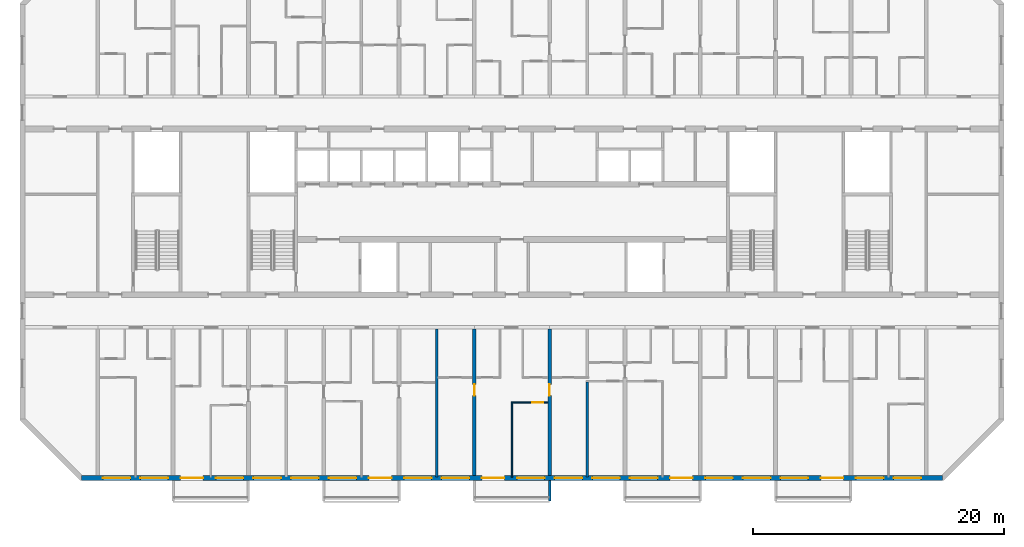
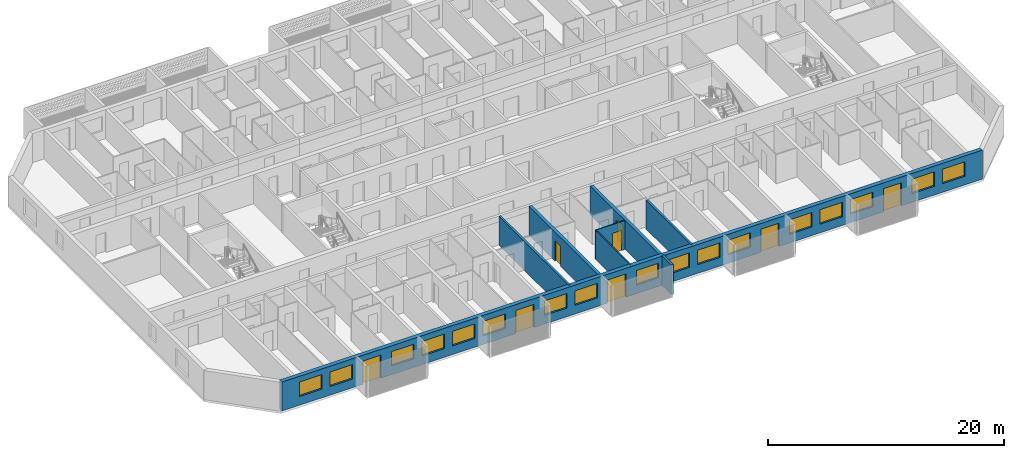
# One storey, part 4 of 32: 17 windows, 8 doors, 8 walls, 25 openings.
"""IFC4 building model written with IfcOpenShell, lengths in metres."""

from ifc_helpers import new_model, si_unit, direction, frame, frame_2d, origin, place, context, subcontext, project, spatial, polyline, rectangle, outline, extrude, source, transform, mapped, material, layer, layer_set, type_object, element, fill, save


model = new_model("IFC4")

# Units and contexts
model_context = context("Model", 3, precision=1e-05, world=origin(), true_north=direction((0.0, 1.0)))
body_context = subcontext(model_context, "Body", "Model", "MODEL_VIEW")
ifc_project = project(units=[si_unit("LENGTHUNIT", "METRE"), si_unit("AREAUNIT", "SQUARE_METRE"), si_unit("VOLUMEUNIT", "CUBIC_METRE"), si_unit("PLANEANGLEUNIT", "RADIAN"), si_unit("MASSUNIT", "GRAM", prefix="KILO")], contexts=[model_context])

# Site, building, storey
site_placement = place(None, origin())
site = spatial("IfcSite", under=ifc_project, at=site_placement, CompositionType="ELEMENT")
building_placement = place(site_placement, origin())
building = spatial("IfcBuilding", under=site, at=building_placement, Name="Poui Terraces", CompositionType="ELEMENT")
storey_placement = place(building_placement, frame((0.0, 0.0, 155.39990234375)))
storey = spatial("IfcBuildingStorey", under=building, at=storey_placement, Name="L43", CompositionType="ELEMENT", Elevation=155.39990234375)

# Wall, opening, door
ifc_material_1 = material(Name="Concrete 65 MPa", Category="concrete")
ifc_layer_1 = layer(ifc_material_1, 0.300048828125)
ifc_layer_set_1 = layer_set([ifc_layer_1], Name="Concrete 65 MPa")
wall_type_1 = type_object("IfcWallType", Name="CROSS WALL 300 65MPa", PredefinedType="SHEAR", material=ifc_layer_set_1)
wall_1_placement = place(storey_placement, frame((48.0, 0.199951171875, 0.0), z_axis=(0.0, 0.0, 1.0), x_axis=(0.0, 1.0, 0.0)))
wall_1 = element("IfcWall", 1, at=wall_1_placement, inside=storey, type_object=wall_type_1, Name="CROSS WALL LINE 9 SOUTH", PredefinedType="SHEAR", context=body_context, shape_type="SweptSolid", body=[
    extrude(rectangle(XDim=11.675048828125, YDim=0.300048828125, at=frame_2d((5.83740234375, 0.0))), origin(), (0.0, 0.0, 1.0), 3.0),
])
opening_1_placement = place(wall_1_placement, frame((6.35009765625, 0.0, 0.0)))
opening_1 = element("IfcOpeningElement", 2, at=opening_1_placement, cuts=wall_1, Name="Opening D90", PredefinedType="OPENING", context=body_context, shape_type="SweptSolid", body=[
    extrude(rectangle(XDim=0.89990234375, YDim=2.10009765625, at=frame_2d((0.449951171875, 1.050048828125))), frame((0.0, 0.16015625, 0.0), z_axis=(0.0, -1.0, 0.0), x_axis=(1.0, 0.0, 0.0)), (0.0, 0.0, 1.0), 0.320068359375),
])
ifc_material_2 = material(Name="Solid core timber door", Category="wood")
door_type_1 = type_object("IfcDoorType", Name="INTERNAL DOOR 900 X 2100", OperationType="NOTDEFINED", PredefinedType="DOOR", material=ifc_material_2)
door_1_placement = place(opening_1_placement, origin())
door_1 = element("IfcDoor", 3, at=door_1_placement, inside=storey, type_object=door_type_1, Name="INTERNAL DOOR 095", OperationType="SINGLE_SWING_RIGHT", OverallHeight=2.10009765625, OverallWidth=0.89990234375, PredefinedType="DOOR", context=body_context, shape_type="SweptSolid", body=[
    extrude(rectangle(XDim=0.89990234375, YDim=2.10009765625, at=frame_2d((0.449951171875, 1.050048828125))), frame((0.0, 0.02490234375, 0.0), z_axis=(0.0, -1.0, 0.0), x_axis=(1.0, 0.0, 0.0)), (0.0, 0.0, 1.0), 0.050048828125),
])
fill(opening_1, door_1)

wall_2_placement = place(storey_placement, frame((54.0, 0.199951171875, 0.0), z_axis=(0.0, 0.0, 1.0), x_axis=(0.0, 1.0, 0.0)))
wall_2 = element("IfcWall", 4, at=wall_2_placement, inside=storey, type_object=wall_type_1, Name="CROSS WALL LINE 10 SOUTH", PredefinedType="SHEAR", context=body_context, shape_type="SweptSolid", body=[
    extrude(rectangle(XDim=11.675048828125, YDim=0.300048828125, at=frame_2d((5.83740234375, 0.0))), origin(), (0.0, 0.0, 1.0), 3.0),
])
opening_2_placement = place(wall_2_placement, frame((6.35009765625, 0.0, 0.0)))
opening_2 = element("IfcOpeningElement", 5, at=opening_2_placement, cuts=wall_2, Name="Opening D90", PredefinedType="OPENING", context=body_context, shape_type="SweptSolid", body=[
    extrude(rectangle(XDim=0.89990234375, YDim=2.10009765625, at=frame_2d((0.449951171875, 1.050048828125))), frame((0.0, 0.16015625, 0.0), z_axis=(0.0, -1.0, 0.0), x_axis=(1.0, 0.0, 0.0)), (0.0, 0.0, 1.0), 0.320068359375),
])
door_2_placement = place(opening_2_placement, frame((0.89990234375, 0.0, 0.0), z_axis=(0.0, 0.0, 1.0), x_axis=(-1.0, 0.0, 0.0)))
door_2 = element("IfcDoor", 6, at=door_2_placement, inside=storey, type_object=door_type_1, Name="INTERNAL DOOR 100", OperationType="SINGLE_SWING_LEFT", OverallHeight=2.10009765625, OverallWidth=0.89990234375, PredefinedType="DOOR", context=body_context, shape_type="SweptSolid", body=[
    extrude(rectangle(XDim=0.89990234375, YDim=2.10009765625, at=frame_2d((0.449951171875, 1.050048828125))), frame((0.0, 0.02490234375, 0.0), z_axis=(0.0, -1.0, 0.0), x_axis=(1.0, 0.0, 0.0)), (0.0, 0.0, 1.0), 0.050048828125),
])
fill(opening_2, door_2)

# Wall, openings, doors, windows
ifc_material_3 = material(Name="Precast concrete 40 MPa", Category="concrete")
ifc_layer_2 = layer(ifc_material_3, 0.39990234375)
ifc_layer_set_2 = layer_set([ifc_layer_2], Name="Precast concrete 40 MPa")
wall_type_2 = type_object("IfcWallType", Name="EXTERNAL WALL 400", PredefinedType="STANDARD", material=ifc_layer_set_2)
wall_3_placement = place(storey_placement, frame((16.682861328125, 0.0, 0.0), z_axis=(0.0, 0.0, 1.0), x_axis=(1.0, 0.0, 0.0)))
wall_3 = element("IfcWall", 7, at=wall_3_placement, inside=storey, type_object=wall_type_2, Name="EXTERNAL WALL S", PredefinedType="STANDARD", context=body_context, shape_type="SweptSolid", body=[
    extrude(rectangle(XDim=68.63427734375, YDim=0.39990234375, at=frame_2d((34.317138671875, 0.0))), origin(), (0.0, 0.0, 1.0), 3.0),
])
opening_3_placement = place(wall_3_placement, frame((1.71728515625, 0.0, 0.89990234375)))
opening_3 = element("IfcOpeningElement", 8, at=opening_3_placement, cuts=wall_3, Name="Opening W1", PredefinedType="OPENING", context=body_context, shape_type="SweptSolid", body=[
    extrude(rectangle(XDim=2.199951171875, YDim=1.5, at=frame_2d((1.10009765625, 0.75))), frame((0.0, 0.2099609375, 0.0), z_axis=(0.0, -1.0, 0.0), x_axis=(1.0, 0.0, 0.0)), (0.0, 0.0, 1.0), 0.419921875),
])
opening_4_placement = place(wall_3_placement, frame((4.71728515625, 0.0, 0.89990234375)))
opening_4 = element("IfcOpeningElement", 9, at=opening_4_placement, cuts=wall_3, Name="Opening W1", PredefinedType="OPENING", context=body_context, shape_type="SweptSolid", body=[
    extrude(rectangle(XDim=2.199951171875, YDim=1.5, at=frame_2d((1.10009765625, 0.75))), frame((0.0, 0.2099609375, 0.0), z_axis=(0.0, -1.0, 0.0), x_axis=(1.0, 0.0, 0.0)), (0.0, 0.0, 1.0), 0.419921875),
])
opening_5_placement = place(wall_3_placement, frame((7.917236328125, 0.0, 0.0)))
opening_5 = element("IfcOpeningElement", 10, at=opening_5_placement, cuts=wall_3, Name="Opening BD1", PredefinedType="OPENING", context=body_context, shape_type="SweptSolid", body=[
    extrude(rectangle(XDim=1.800048828125, YDim=2.39990234375, at=frame_2d((0.89990234375, 1.199951171875))), frame((0.0, 0.2099609375, 0.0), z_axis=(0.0, -1.0, 0.0), x_axis=(1.0, 0.0, 0.0)), (0.0, 0.0, 1.0), 0.419921875),
])
opening_6_placement = place(wall_3_placement, frame((10.71728515625, 0.0, 0.89990234375)))
opening_6 = element("IfcOpeningElement", 11, at=opening_6_placement, cuts=wall_3, Name="Opening W1", PredefinedType="OPENING", context=body_context, shape_type="SweptSolid", body=[
    extrude(rectangle(XDim=2.199951171875, YDim=1.5, at=frame_2d((1.10009765625, 0.75))), frame((0.0, 0.2099609375, 0.0), z_axis=(0.0, -1.0, 0.0), x_axis=(1.0, 0.0, 0.0)), (0.0, 0.0, 1.0), 0.419921875),
])
opening_7_placement = place(wall_3_placement, frame((13.71728515625, 0.0, 0.89990234375)))
opening_7 = element("IfcOpeningElement", 12, at=opening_7_placement, cuts=wall_3, Name="Opening W1", PredefinedType="OPENING", context=body_context, shape_type="SweptSolid", body=[
    extrude(rectangle(XDim=2.199951171875, YDim=1.5, at=frame_2d((1.10009765625, 0.75))), frame((0.0, 0.2099609375, 0.0), z_axis=(0.0, -1.0, 0.0), x_axis=(1.0, 0.0, 0.0)), (0.0, 0.0, 1.0), 0.419921875),
])
opening_8_placement = place(wall_3_placement, frame((16.71728515625, 0.0, 0.89990234375)))
opening_8 = element("IfcOpeningElement", 13, at=opening_8_placement, cuts=wall_3, Name="Opening W1", PredefinedType="OPENING", context=body_context, shape_type="SweptSolid", body=[
    extrude(rectangle(XDim=2.199951171875, YDim=1.5, at=frame_2d((1.10009765625, 0.75))), frame((0.0, 0.2099609375, 0.0), z_axis=(0.0, -1.0, 0.0), x_axis=(1.0, 0.0, 0.0)), (0.0, 0.0, 1.0), 0.419921875),
])
opening_9_placement = place(wall_3_placement, frame((19.71728515625, 0.0, 0.89990234375)))
opening_9 = element("IfcOpeningElement", 14, at=opening_9_placement, cuts=wall_3, Name="Opening W1", PredefinedType="OPENING", context=body_context, shape_type="SweptSolid", body=[
    extrude(rectangle(XDim=2.199951171875, YDim=1.5, at=frame_2d((1.10009765625, 0.75))), frame((0.0, 0.2099609375, 0.0), z_axis=(0.0, -1.0, 0.0), x_axis=(1.0, 0.0, 0.0)), (0.0, 0.0, 1.0), 0.419921875),
])
opening_10_placement = place(wall_3_placement, frame((22.917236328125, 0.0, 0.0)))
opening_10 = element("IfcOpeningElement", 15, at=opening_10_placement, cuts=wall_3, Name="Opening BD1", PredefinedType="OPENING", context=body_context, shape_type="SweptSolid", body=[
    extrude(rectangle(XDim=1.800048828125, YDim=2.39990234375, at=frame_2d((0.89990234375, 1.199951171875))), frame((0.0, 0.2099609375, 0.0), z_axis=(0.0, -1.0, 0.0), x_axis=(1.0, 0.0, 0.0)), (0.0, 0.0, 1.0), 0.419921875),
])
opening_11_placement = place(wall_3_placement, frame((25.71728515625, 0.0, 0.89990234375)))
opening_11 = element("IfcOpeningElement", 16, at=opening_11_placement, cuts=wall_3, Name="Opening W1", PredefinedType="OPENING", context=body_context, shape_type="SweptSolid", body=[
    extrude(rectangle(XDim=2.199951171875, YDim=1.5, at=frame_2d((1.10009765625, 0.75))), frame((0.0, 0.2099609375, 0.0), z_axis=(0.0, -1.0, 0.0), x_axis=(1.0, 0.0, 0.0)), (0.0, 0.0, 1.0), 0.419921875),
])
opening_12_placement = place(wall_3_placement, frame((28.71728515625, 0.0, 0.89990234375)))
opening_12 = element("IfcOpeningElement", 17, at=opening_12_placement, cuts=wall_3, Name="Opening W1", PredefinedType="OPENING", context=body_context, shape_type="SweptSolid", body=[
    extrude(rectangle(XDim=2.199951171875, YDim=1.5, at=frame_2d((1.10009765625, 0.75))), frame((0.0, 0.2099609375, 0.0), z_axis=(0.0, -1.0, 0.0), x_axis=(1.0, 0.0, 0.0)), (0.0, 0.0, 1.0), 0.419921875),
])
opening_13_placement = place(wall_3_placement, frame((31.917236328125, 0.0, 0.0)))
opening_13 = element("IfcOpeningElement", 18, at=opening_13_placement, cuts=wall_3, Name="Opening BD1", PredefinedType="OPENING", context=body_context, shape_type="SweptSolid", body=[
    extrude(rectangle(XDim=1.800048828125, YDim=2.39990234375, at=frame_2d((0.89990234375, 1.199951171875))), frame((0.0, 0.2099609375, 0.0), z_axis=(0.0, -1.0, 0.0), x_axis=(1.0, 0.0, 0.0)), (0.0, 0.0, 1.0), 0.419921875),
])
opening_14_placement = place(wall_3_placement, frame((34.71728515625, 0.0, 0.89990234375)))
opening_14 = element("IfcOpeningElement", 19, at=opening_14_placement, cuts=wall_3, Name="Opening W1", PredefinedType="OPENING", context=body_context, shape_type="SweptSolid", body=[
    extrude(rectangle(XDim=2.199951171875, YDim=1.5, at=frame_2d((1.10009765625, 0.75))), frame((0.0, 0.2099609375, 0.0), z_axis=(0.0, -1.0, 0.0), x_axis=(1.0, 0.0, 0.0)), (0.0, 0.0, 1.0), 0.419921875),
])
opening_15_placement = place(wall_3_placement, frame((37.71728515625, 0.0, 0.89990234375)))
opening_15 = element("IfcOpeningElement", 20, at=opening_15_placement, cuts=wall_3, Name="Opening W1", PredefinedType="OPENING", context=body_context, shape_type="SweptSolid", body=[
    extrude(rectangle(XDim=2.199951171875, YDim=1.5, at=frame_2d((1.10009765625, 0.75))), frame((0.0, 0.2099609375, 0.0), z_axis=(0.0, -1.0, 0.0), x_axis=(1.0, 0.0, 0.0)), (0.0, 0.0, 1.0), 0.419921875),
])
opening_16_placement = place(wall_3_placement, frame((40.71728515625, 0.0, 0.89990234375)))
opening_16 = element("IfcOpeningElement", 21, at=opening_16_placement, cuts=wall_3, Name="Opening W1", PredefinedType="OPENING", context=body_context, shape_type="SweptSolid", body=[
    extrude(rectangle(XDim=2.199951171875, YDim=1.5, at=frame_2d((1.10009765625, 0.75))), frame((0.0, 0.2099609375, 0.0), z_axis=(0.0, -1.0, 0.0), x_axis=(1.0, 0.0, 0.0)), (0.0, 0.0, 1.0), 0.419921875),
])
opening_17_placement = place(wall_3_placement, frame((43.71728515625, 0.0, 0.89990234375)))
opening_17 = element("IfcOpeningElement", 22, at=opening_17_placement, cuts=wall_3, Name="Opening W1", PredefinedType="OPENING", context=body_context, shape_type="SweptSolid", body=[
    extrude(rectangle(XDim=2.199951171875, YDim=1.5, at=frame_2d((1.10009765625, 0.75))), frame((0.0, 0.2099609375, 0.0), z_axis=(0.0, -1.0, 0.0), x_axis=(1.0, 0.0, 0.0)), (0.0, 0.0, 1.0), 0.419921875),
])
opening_18_placement = place(wall_3_placement, frame((46.917236328125, 0.0, 0.0)))
opening_18 = element("IfcOpeningElement", 23, at=opening_18_placement, cuts=wall_3, Name="Opening BD1", PredefinedType="OPENING", context=body_context, shape_type="SweptSolid", body=[
    extrude(rectangle(XDim=1.800048828125, YDim=2.39990234375, at=frame_2d((0.89990234375, 1.199951171875))), frame((0.0, 0.2099609375, 0.0), z_axis=(0.0, -1.0, 0.0), x_axis=(1.0, 0.0, 0.0)), (0.0, 0.0, 1.0), 0.419921875),
])
opening_19_placement = place(wall_3_placement, frame((49.71728515625, 0.0, 0.89990234375)))
opening_19 = element("IfcOpeningElement", 24, at=opening_19_placement, cuts=wall_3, Name="Opening W1", PredefinedType="OPENING", context=body_context, shape_type="SweptSolid", body=[
    extrude(rectangle(XDim=2.199951171875, YDim=1.5, at=frame_2d((1.10009765625, 0.75))), frame((0.0, 0.2099609375, 0.0), z_axis=(0.0, -1.0, 0.0), x_axis=(1.0, 0.0, 0.0)), (0.0, 0.0, 1.0), 0.419921875),
])
opening_20_placement = place(wall_3_placement, frame((52.71728515625, 0.0, 0.89990234375)))
opening_20 = element("IfcOpeningElement", 25, at=opening_20_placement, cuts=wall_3, Name="Opening W1", PredefinedType="OPENING", context=body_context, shape_type="SweptSolid", body=[
    extrude(rectangle(XDim=2.199951171875, YDim=1.5, at=frame_2d((1.10009765625, 0.75))), frame((0.0, 0.2099609375, 0.0), z_axis=(0.0, -1.0, 0.0), x_axis=(1.0, 0.0, 0.0)), (0.0, 0.0, 1.0), 0.419921875),
])
opening_21_placement = place(wall_3_placement, frame((55.71728515625, 0.0, 0.89990234375)))
opening_21 = element("IfcOpeningElement", 26, at=opening_21_placement, cuts=wall_3, Name="Opening W1", PredefinedType="OPENING", context=body_context, shape_type="SweptSolid", body=[
    extrude(rectangle(XDim=2.199951171875, YDim=1.5, at=frame_2d((1.10009765625, 0.75))), frame((0.0, 0.2099609375, 0.0), z_axis=(0.0, -1.0, 0.0), x_axis=(1.0, 0.0, 0.0)), (0.0, 0.0, 1.0), 0.419921875),
])
opening_22_placement = place(wall_3_placement, frame((58.917236328125, 0.0, 0.0)))
opening_22 = element("IfcOpeningElement", 27, at=opening_22_placement, cuts=wall_3, Name="Opening BD1", PredefinedType="OPENING", context=body_context, shape_type="SweptSolid", body=[
    extrude(rectangle(XDim=1.800048828125, YDim=2.39990234375, at=frame_2d((0.89990234375, 1.199951171875))), frame((0.0, 0.2099609375, 0.0), z_axis=(0.0, -1.0, 0.0), x_axis=(1.0, 0.0, 0.0)), (0.0, 0.0, 1.0), 0.419921875),
])
opening_23_placement = place(wall_3_placement, frame((61.71728515625, 0.0, 0.89990234375)))
opening_23 = element("IfcOpeningElement", 28, at=opening_23_placement, cuts=wall_3, Name="Opening W1", PredefinedType="OPENING", context=body_context, shape_type="SweptSolid", body=[
    extrude(rectangle(XDim=2.199951171875, YDim=1.5, at=frame_2d((1.10009765625, 0.75))), frame((0.0, 0.2099609375, 0.0), z_axis=(0.0, -1.0, 0.0), x_axis=(1.0, 0.0, 0.0)), (0.0, 0.0, 1.0), 0.419921875),
])
opening_24_placement = place(wall_3_placement, frame((64.71728515625, 0.0, 0.89990234375)))
opening_24 = element("IfcOpeningElement", 29, at=opening_24_placement, cuts=wall_3, Name="Opening W1", PredefinedType="OPENING", context=body_context, shape_type="SweptSolid", body=[
    extrude(rectangle(XDim=2.199951171875, YDim=1.5, at=frame_2d((1.10009765625, 0.75))), frame((0.0, 0.2099609375, 0.0), z_axis=(0.0, -1.0, 0.0), x_axis=(1.0, 0.0, 0.0)), (0.0, 0.0, 1.0), 0.419921875),
])
ifc_material_4 = material(Name="Clear glass in aluminium frame", Category="aluminium")
door_type_2 = type_object("IfcDoorType", Name="BALCONY DOOR 1800X2400", OperationType="DOUBLE_DOOR_SLIDING", PredefinedType="DOOR", material=ifc_material_4)
door_3_placement = place(opening_5_placement, origin())
door_3 = element("IfcDoor", 30, at=door_3_placement, inside=storey, type_object=door_type_2, Name="BD1 BALCONY DOOR", OperationType="DOUBLE_DOOR_SLIDING", OverallHeight=2.39990234375, OverallWidth=1.800048828125, PredefinedType="DOOR", context=body_context, shape_type="SweptSolid", body=[
    extrude(rectangle(XDim=1.800048828125, YDim=2.39990234375, at=frame_2d((0.89990234375, 1.199951171875))), frame((0.0, 0.02490234375, 0.0), z_axis=(0.0, -1.0, 0.0), x_axis=(1.0, 0.0, 0.0)), (0.0, 0.0, 1.0), 0.050048828125),
])
fill(opening_5, door_3)
door_4_placement = place(opening_10_placement, origin())
door_4 = element("IfcDoor", 31, at=door_4_placement, inside=storey, type_object=door_type_2, Name="BD1 BALCONY DOOR", OperationType="DOUBLE_DOOR_SLIDING", OverallHeight=2.39990234375, OverallWidth=1.800048828125, PredefinedType="DOOR", context=body_context, shape_type="SweptSolid", body=[
    extrude(rectangle(XDim=1.800048828125, YDim=2.39990234375, at=frame_2d((0.89990234375, 1.199951171875))), frame((0.0, 0.02490234375, 0.0), z_axis=(0.0, -1.0, 0.0), x_axis=(1.0, 0.0, 0.0)), (0.0, 0.0, 1.0), 0.050048828125),
])
fill(opening_10, door_4)
door_5_placement = place(opening_13_placement, origin())
door_5 = element("IfcDoor", 32, at=door_5_placement, inside=storey, type_object=door_type_2, Name="BD1 BALCONY DOOR", OperationType="DOUBLE_DOOR_SLIDING", OverallHeight=2.39990234375, OverallWidth=1.800048828125, PredefinedType="DOOR", context=body_context, shape_type="SweptSolid", body=[
    extrude(rectangle(XDim=1.800048828125, YDim=2.39990234375, at=frame_2d((0.89990234375, 1.199951171875))), frame((0.0, 0.02490234375, 0.0), z_axis=(0.0, -1.0, 0.0), x_axis=(1.0, 0.0, 0.0)), (0.0, 0.0, 1.0), 0.050048828125),
])
fill(opening_13, door_5)
door_6_placement = place(opening_18_placement, origin())
door_6 = element("IfcDoor", 33, at=door_6_placement, inside=storey, type_object=door_type_2, Name="BD1 BALCONY DOOR", OperationType="DOUBLE_DOOR_SLIDING", OverallHeight=2.39990234375, OverallWidth=1.800048828125, PredefinedType="DOOR", context=body_context, shape_type="SweptSolid", body=[
    extrude(rectangle(XDim=1.800048828125, YDim=2.39990234375, at=frame_2d((0.89990234375, 1.199951171875))), frame((0.0, 0.02490234375, 0.0), z_axis=(0.0, -1.0, 0.0), x_axis=(1.0, 0.0, 0.0)), (0.0, 0.0, 1.0), 0.050048828125),
])
fill(opening_18, door_6)
door_7_placement = place(opening_22_placement, origin())
door_7 = element("IfcDoor", 34, at=door_7_placement, inside=storey, type_object=door_type_2, Name="BD1 BALCONY DOOR", OperationType="DOUBLE_DOOR_SLIDING", OverallHeight=2.39990234375, OverallWidth=1.800048828125, PredefinedType="DOOR", context=body_context, shape_type="SweptSolid", body=[
    extrude(rectangle(XDim=1.800048828125, YDim=2.39990234375, at=frame_2d((0.89990234375, 1.199951171875))), frame((0.0, 0.02490234375, 0.0), z_axis=(0.0, -1.0, 0.0), x_axis=(1.0, 0.0, 0.0)), (0.0, 0.0, 1.0), 0.050048828125),
])
fill(opening_22, door_7)
window_type = type_object("IfcWindowType", Name="WINDOW 2200X1500", PartitioningType="DOUBLE_PANEL_HORIZONTAL", PredefinedType="WINDOW", material=ifc_material_4)
window_1_placement = place(opening_3_placement, origin())
window_1 = element("IfcWindow", 35, at=window_1_placement, inside=storey, type_object=window_type, Name="W1 WINDOW", OverallHeight=1.5, OverallWidth=2.199951171875, PartitioningType="DOUBLE_PANEL_HORIZONTAL", PredefinedType="WINDOW", context=body_context, shape_type="SweptSolid", body=[
    extrude(rectangle(XDim=2.199951171875, YDim=1.5, at=frame_2d((1.10009765625, 0.75))), frame((0.0, 0.030029296875, 0.0), z_axis=(0.0, -1.0, 0.0), x_axis=(1.0, 0.0, 0.0)), (0.0, 0.0, 1.0), 0.06005859375),
])
fill(opening_3, window_1)
window_2_placement = place(opening_4_placement, origin())
window_2 = element("IfcWindow", 36, at=window_2_placement, inside=storey, type_object=window_type, Name="W1 WINDOW", OverallHeight=1.5, OverallWidth=2.199951171875, PartitioningType="DOUBLE_PANEL_HORIZONTAL", PredefinedType="WINDOW", context=body_context, shape_type="SweptSolid", body=[
    extrude(rectangle(XDim=2.199951171875, YDim=1.5, at=frame_2d((1.10009765625, 0.75))), frame((0.0, 0.030029296875, 0.0), z_axis=(0.0, -1.0, 0.0), x_axis=(1.0, 0.0, 0.0)), (0.0, 0.0, 1.0), 0.06005859375),
])
fill(opening_4, window_2)
window_3_placement = place(opening_6_placement, origin())
window_3 = element("IfcWindow", 37, at=window_3_placement, inside=storey, type_object=window_type, Name="W1 WINDOW", OverallHeight=1.5, OverallWidth=2.199951171875, PartitioningType="DOUBLE_PANEL_HORIZONTAL", PredefinedType="WINDOW", context=body_context, shape_type="SweptSolid", body=[
    extrude(rectangle(XDim=2.199951171875, YDim=1.5, at=frame_2d((1.10009765625, 0.75))), frame((0.0, 0.030029296875, 0.0), z_axis=(0.0, -1.0, 0.0), x_axis=(1.0, 0.0, 0.0)), (0.0, 0.0, 1.0), 0.06005859375),
])
fill(opening_6, window_3)
window_4_placement = place(opening_7_placement, origin())
window_4 = element("IfcWindow", 38, at=window_4_placement, inside=storey, type_object=window_type, Name="W1 WINDOW", OverallHeight=1.5, OverallWidth=2.199951171875, PartitioningType="DOUBLE_PANEL_HORIZONTAL", PredefinedType="WINDOW", context=body_context, shape_type="SweptSolid", body=[
    extrude(rectangle(XDim=2.199951171875, YDim=1.5, at=frame_2d((1.10009765625, 0.75))), frame((0.0, 0.030029296875, 0.0), z_axis=(0.0, -1.0, 0.0), x_axis=(1.0, 0.0, 0.0)), (0.0, 0.0, 1.0), 0.06005859375),
])
fill(opening_7, window_4)
window_5_placement = place(opening_8_placement, origin())
window_5 = element("IfcWindow", 39, at=window_5_placement, inside=storey, type_object=window_type, Name="W1 WINDOW", OverallHeight=1.5, OverallWidth=2.199951171875, PartitioningType="DOUBLE_PANEL_HORIZONTAL", PredefinedType="WINDOW", context=body_context, shape_type="SweptSolid", body=[
    extrude(rectangle(XDim=2.199951171875, YDim=1.5, at=frame_2d((1.10009765625, 0.75))), frame((0.0, 0.030029296875, 0.0), z_axis=(0.0, -1.0, 0.0), x_axis=(1.0, 0.0, 0.0)), (0.0, 0.0, 1.0), 0.06005859375),
])
fill(opening_8, window_5)
window_6_placement = place(opening_9_placement, origin())
window_6 = element("IfcWindow", 40, at=window_6_placement, inside=storey, type_object=window_type, Name="W1 WINDOW", OverallHeight=1.5, OverallWidth=2.199951171875, PartitioningType="DOUBLE_PANEL_HORIZONTAL", PredefinedType="WINDOW", context=body_context, shape_type="SweptSolid", body=[
    extrude(rectangle(XDim=2.199951171875, YDim=1.5, at=frame_2d((1.10009765625, 0.75))), frame((0.0, 0.030029296875, 0.0), z_axis=(0.0, -1.0, 0.0), x_axis=(1.0, 0.0, 0.0)), (0.0, 0.0, 1.0), 0.06005859375),
])
fill(opening_9, window_6)
window_7_placement = place(opening_11_placement, origin())
window_7 = element("IfcWindow", 41, at=window_7_placement, inside=storey, type_object=window_type, Name="W1 WINDOW", OverallHeight=1.5, OverallWidth=2.199951171875, PartitioningType="DOUBLE_PANEL_HORIZONTAL", PredefinedType="WINDOW", context=body_context, shape_type="SweptSolid", body=[
    extrude(rectangle(XDim=2.199951171875, YDim=1.5, at=frame_2d((1.10009765625, 0.75))), frame((0.0, 0.030029296875, 0.0), z_axis=(0.0, -1.0, 0.0), x_axis=(1.0, 0.0, 0.0)), (0.0, 0.0, 1.0), 0.06005859375),
])
fill(opening_11, window_7)
window_8_placement = place(opening_12_placement, origin())
window_8 = element("IfcWindow", 42, at=window_8_placement, inside=storey, type_object=window_type, Name="W1 WINDOW", OverallHeight=1.5, OverallWidth=2.199951171875, PartitioningType="DOUBLE_PANEL_HORIZONTAL", PredefinedType="WINDOW", context=body_context, shape_type="SweptSolid", body=[
    extrude(rectangle(XDim=2.199951171875, YDim=1.5, at=frame_2d((1.10009765625, 0.75))), frame((0.0, 0.030029296875, 0.0), z_axis=(0.0, -1.0, 0.0), x_axis=(1.0, 0.0, 0.0)), (0.0, 0.0, 1.0), 0.06005859375),
])
fill(opening_12, window_8)
window_9_placement = place(opening_14_placement, origin())
window_9 = element("IfcWindow", 43, at=window_9_placement, inside=storey, type_object=window_type, Name="W1 WINDOW", OverallHeight=1.5, OverallWidth=2.199951171875, PartitioningType="DOUBLE_PANEL_HORIZONTAL", PredefinedType="WINDOW", context=body_context, shape_type="SweptSolid", body=[
    extrude(rectangle(XDim=2.199951171875, YDim=1.5, at=frame_2d((1.10009765625, 0.75))), frame((0.0, 0.030029296875, 0.0), z_axis=(0.0, -1.0, 0.0), x_axis=(1.0, 0.0, 0.0)), (0.0, 0.0, 1.0), 0.06005859375),
])
fill(opening_14, window_9)
window_10_placement = place(opening_15_placement, origin())
window_10 = element("IfcWindow", 44, at=window_10_placement, inside=storey, type_object=window_type, Name="W1 WINDOW", OverallHeight=1.5, OverallWidth=2.199951171875, PartitioningType="DOUBLE_PANEL_HORIZONTAL", PredefinedType="WINDOW", context=body_context, shape_type="SweptSolid", body=[
    extrude(rectangle(XDim=2.199951171875, YDim=1.5, at=frame_2d((1.10009765625, 0.75))), frame((0.0, 0.030029296875, 0.0), z_axis=(0.0, -1.0, 0.0), x_axis=(1.0, 0.0, 0.0)), (0.0, 0.0, 1.0), 0.06005859375),
])
fill(opening_15, window_10)
window_11_placement = place(opening_16_placement, origin())
window_11 = element("IfcWindow", 45, at=window_11_placement, inside=storey, type_object=window_type, Name="W1 WINDOW", OverallHeight=1.5, OverallWidth=2.199951171875, PartitioningType="DOUBLE_PANEL_HORIZONTAL", PredefinedType="WINDOW", context=body_context, shape_type="SweptSolid", body=[
    extrude(rectangle(XDim=2.199951171875, YDim=1.5, at=frame_2d((1.10009765625, 0.75))), frame((0.0, 0.030029296875, 0.0), z_axis=(0.0, -1.0, 0.0), x_axis=(1.0, 0.0, 0.0)), (0.0, 0.0, 1.0), 0.06005859375),
])
fill(opening_16, window_11)
window_12_placement = place(opening_17_placement, origin())
window_12 = element("IfcWindow", 46, at=window_12_placement, inside=storey, type_object=window_type, Name="W1 WINDOW", OverallHeight=1.5, OverallWidth=2.199951171875, PartitioningType="DOUBLE_PANEL_HORIZONTAL", PredefinedType="WINDOW", context=body_context, shape_type="SweptSolid", body=[
    extrude(rectangle(XDim=2.199951171875, YDim=1.5, at=frame_2d((1.10009765625, 0.75))), frame((0.0, 0.030029296875, 0.0), z_axis=(0.0, -1.0, 0.0), x_axis=(1.0, 0.0, 0.0)), (0.0, 0.0, 1.0), 0.06005859375),
])
fill(opening_17, window_12)
window_13_placement = place(opening_19_placement, origin())
window_13 = element("IfcWindow", 47, at=window_13_placement, inside=storey, type_object=window_type, Name="W1 WINDOW", OverallHeight=1.5, OverallWidth=2.199951171875, PartitioningType="DOUBLE_PANEL_HORIZONTAL", PredefinedType="WINDOW", context=body_context, shape_type="SweptSolid", body=[
    extrude(rectangle(XDim=2.199951171875, YDim=1.5, at=frame_2d((1.10009765625, 0.75))), frame((0.0, 0.030029296875, 0.0), z_axis=(0.0, -1.0, 0.0), x_axis=(1.0, 0.0, 0.0)), (0.0, 0.0, 1.0), 0.06005859375),
])
fill(opening_19, window_13)
window_14_placement = place(opening_20_placement, origin())
window_14 = element("IfcWindow", 48, at=window_14_placement, inside=storey, type_object=window_type, Name="W1 WINDOW", OverallHeight=1.5, OverallWidth=2.199951171875, PartitioningType="DOUBLE_PANEL_HORIZONTAL", PredefinedType="WINDOW", context=body_context, shape_type="SweptSolid", body=[
    extrude(rectangle(XDim=2.199951171875, YDim=1.5, at=frame_2d((1.10009765625, 0.75))), frame((0.0, 0.030029296875, 0.0), z_axis=(0.0, -1.0, 0.0), x_axis=(1.0, 0.0, 0.0)), (0.0, 0.0, 1.0), 0.06005859375),
])
fill(opening_20, window_14)
window_15_placement = place(opening_21_placement, origin())
window_15 = element("IfcWindow", 49, at=window_15_placement, inside=storey, type_object=window_type, Name="W1 WINDOW", OverallHeight=1.5, OverallWidth=2.199951171875, PartitioningType="DOUBLE_PANEL_HORIZONTAL", PredefinedType="WINDOW", context=body_context, shape_type="SweptSolid", body=[
    extrude(rectangle(XDim=2.199951171875, YDim=1.5, at=frame_2d((1.10009765625, 0.75))), frame((0.0, 0.030029296875, 0.0), z_axis=(0.0, -1.0, 0.0), x_axis=(1.0, 0.0, 0.0)), (0.0, 0.0, 1.0), 0.06005859375),
])
fill(opening_21, window_15)
window_16_placement = place(opening_23_placement, origin())
window_16 = element("IfcWindow", 50, at=window_16_placement, inside=storey, type_object=window_type, Name="W1 WINDOW", OverallHeight=1.5, OverallWidth=2.199951171875, PartitioningType="DOUBLE_PANEL_HORIZONTAL", PredefinedType="WINDOW", context=body_context, shape_type="SweptSolid", body=[
    extrude(rectangle(XDim=2.199951171875, YDim=1.5, at=frame_2d((1.10009765625, 0.75))), frame((0.0, 0.030029296875, 0.0), z_axis=(0.0, -1.0, 0.0), x_axis=(1.0, 0.0, 0.0)), (0.0, 0.0, 1.0), 0.06005859375),
])
fill(opening_23, window_16)
window_17_placement = place(opening_24_placement, origin())
window_17 = element("IfcWindow", 51, at=window_17_placement, inside=storey, type_object=window_type, Name="W1 WINDOW", OverallHeight=1.5, OverallWidth=2.199951171875, PartitioningType="DOUBLE_PANEL_HORIZONTAL", PredefinedType="WINDOW", context=body_context, shape_type="SweptSolid", body=[
    extrude(rectangle(XDim=2.199951171875, YDim=1.5, at=frame_2d((1.10009765625, 0.75))), frame((0.0, 0.030029296875, 0.0), z_axis=(0.0, -1.0, 0.0), x_axis=(1.0, 0.0, 0.0)), (0.0, 0.0, 1.0), 0.06005859375),
])
fill(opening_24, window_17)

# Wall, opening, door
ifc_material_5 = material(Name="Plasterboard partition")
ifc_layer_3 = layer(ifc_material_5, 0.10009765625)
ifc_layer_set_3 = layer_set([ifc_layer_3], Name="Plasterboard partition")
wall_type_3 = type_object("IfcWallType", Name="FLAT PARTITION 100", PredefinedType="PARTITIONING", material=ifc_layer_set_3)
wall_4_placement = place(storey_placement, frame((50.949951171875, 6.0, 0.0), z_axis=(0.0, 0.0, 1.0), x_axis=(1.0, 0.0, 0.0)))
wall_4 = element("IfcWall", 52, at=wall_4_placement, inside=storey, type_object=wall_type_3, Name="FLAT PARTITION 100", PredefinedType="PARTITIONING", context=body_context, shape_type="SweptSolid", body=[
    extrude(rectangle(XDim=2.89013671875, YDim=0.10009765625, at=frame_2d((1.445068359375, 0.0))), origin(), (0.0, 0.0, 1.0), 3.0),
])
opening_25_placement = place(wall_4_placement, frame((1.64990234375, 0.0, 0.0)))
opening_25 = element("IfcOpeningElement", 53, at=opening_25_placement, cuts=wall_4, Name="Opening D90", PredefinedType="OPENING", context=body_context, shape_type="SweptSolid", body=[
    extrude(rectangle(XDim=0.89990234375, YDim=2.10009765625, at=frame_2d((0.449951171875, 1.050048828125))), frame((0.0, 0.06005859375, 0.0), z_axis=(0.0, -1.0, 0.0), x_axis=(1.0, 0.0, 0.0)), (0.0, 0.0, 1.0), 0.1201171875),
])
door_8_placement = place(opening_25_placement, origin())
door_8 = element("IfcDoor", 54, at=door_8_placement, inside=storey, type_object=door_type_1, Name="INTERNAL DOOR 099", OperationType="SINGLE_SWING_LEFT", OverallHeight=2.10009765625, OverallWidth=0.89990234375, PredefinedType="DOOR", context=body_context, shape_type="SweptSolid", body=[
    extrude(rectangle(XDim=0.89990234375, YDim=2.10009765625, at=frame_2d((0.449951171875, 1.050048828125))), frame((0.0, 0.02490234375, 0.0), z_axis=(0.0, -1.0, 0.0), x_axis=(1.0, 0.0, 0.0)), (0.0, 0.0, 1.0), 0.050048828125),
])
fill(opening_25, door_8)

# Walls
wall_5_placement = place(storey_placement, frame((51.0, 0.06005859375, 0.0), z_axis=(0.0, 0.0, 1.0), x_axis=(0.0, 1.0, 0.0)))
element("IfcWall", 55, at=wall_5_placement, inside=storey, type_object=wall_type_3, Name="FLAT PARTITION 100", PredefinedType="PARTITIONING", context=body_context, shape_type="SweptSolid", body=[
    extrude(rectangle(XDim=5.889892578125, YDim=0.10009765625, at=frame_2d((2.94482421875, 0.0))), origin(), (0.0, 0.0, 1.0), 3.0),
])
ifc_material_6 = material(Name="Fire-rated masonry wall", Category="masonry")
ifc_layer_4 = layer(ifc_material_6, 0.199951171875)
ifc_layer_set_4 = layer_set([ifc_layer_4], Name="Fire-rated masonry wall")
wall_type_4 = type_object("IfcWallType", Name="FLAT PARTY WALL 200", PredefinedType="PARTITIONING", material=ifc_layer_set_4)
wall_6_placement = place(storey_placement, frame((45.0, 0.06005859375, 0.0), z_axis=(0.0, 0.0, 1.0), x_axis=(0.0, 1.0, 0.0)))
element("IfcWall", 56, at=wall_6_placement, inside=storey, type_object=wall_type_4, Name="FLAT PARTY WALL 200", PredefinedType="PARTITIONING", context=body_context, shape_type="SweptSolid", body=[
    extrude(rectangle(XDim=11.804931640625, YDim=0.199951171875, at=frame_2d((5.90234375, 0.0))), origin(), (0.0, 0.0, 1.0), 3.0),
])
wall_7_placement = place(storey_placement, frame((57.0, 0.06005859375, 0.0), z_axis=(0.0, 0.0, 1.0), x_axis=(0.0, 1.0, 0.0)))
element("IfcWall", 57, at=wall_7_placement, inside=storey, type_object=wall_type_4, Name="FLAT PARTY WALL 200", PredefinedType="PARTITIONING", context=body_context, shape_type="SweptSolid", body=[
    extrude(rectangle(XDim=7.58984375, YDim=0.199951171875, at=frame_2d((3.794921875, 0.0))), origin(), (0.0, 0.0, 1.0), 3.0),
])
ifc_layer_5 = layer(ifc_material_3, 0.199951171875)
ifc_layer_set_5 = layer_set([ifc_layer_5], Name="Precast concrete 40 MPa")
wall_type_5 = type_object("IfcWallType", Name="REAR FIN 200", PredefinedType="STANDARD", material=ifc_layer_set_5)
shared_shape = source(origin(), body_context, "Body", "SweptSolid", [
    extrude(outline(polyline([(0.0, 0.0), (0.2001953125, 0.0), (0.2001953125, 1.650146484375), (0.0, 1.650146484375), (0.0, 0.0)])), origin(), (0.0, 0.0, 1.0), 3.10009765625),
])
wall_8_placement = place(storey_placement, frame((53.89990234375, -1.85009765625, 0.0)))
element("IfcWall", 58, at=wall_8_placement, inside=storey, type_object=wall_type_5, Name="REAR FIN", PredefinedType="STANDARD", context=body_context, shape_type="MappedRepresentation", body=[
    mapped(shared_shape, transform((0.0, 0.0, 0.0))),
])

save(model, "model.ifc")
